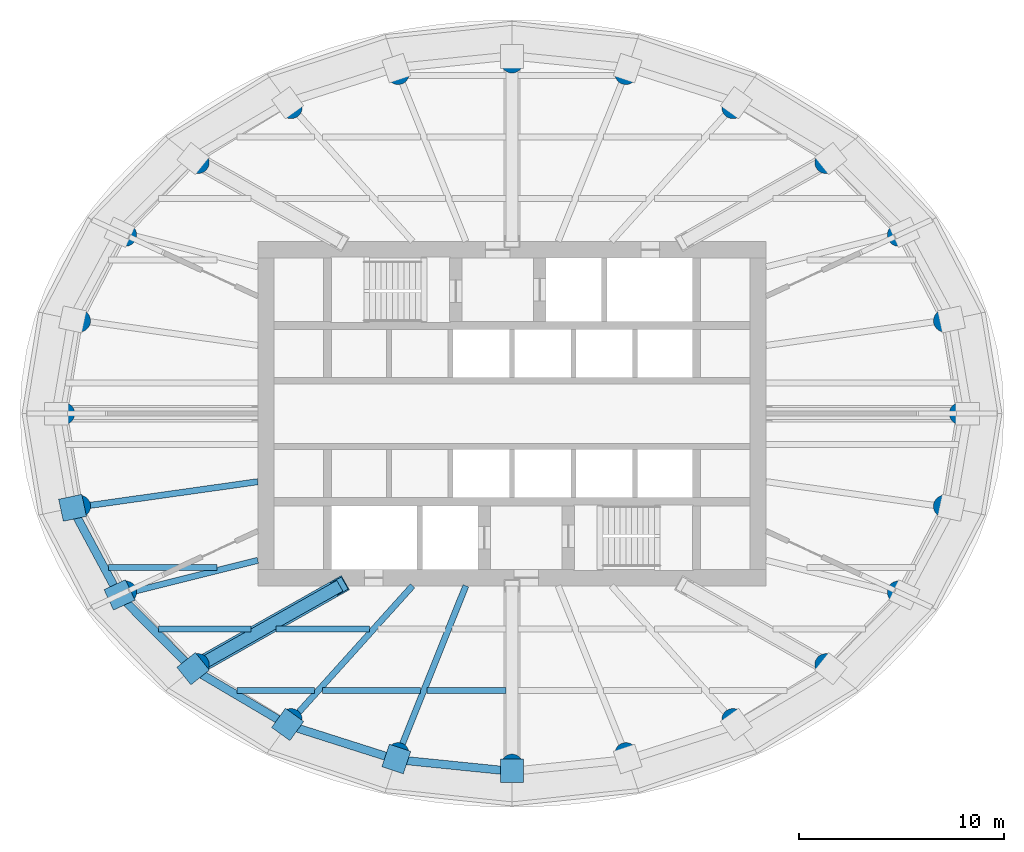
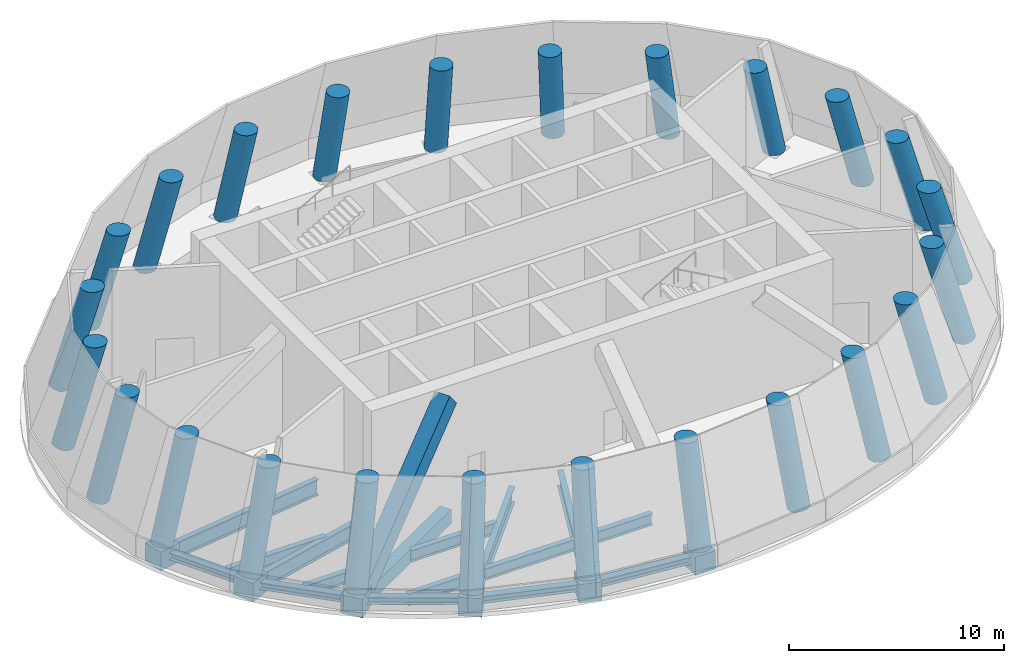
# One storey, part 1 of 6: 24 columns, 22 beams, 1 member.
"""IFC4 building model written with IfcOpenShell, lengths in metres."""

import ifcopenshell
import ifcopenshell.guid

model = None  # the IFC model being written
_history = None  # IfcOwnerHistory: only IFC2X3 demands one
_inside = {}  # id of a spatial element -> (the spatial element, [elements in it])
_under = {}  # id of a project, library or spatial element -> (it, [spatial elements below it])
_declared = {}  # id of a project -> (the project, [libraries it declares])
_typed = {}  # id of a type object -> (the type object, [elements of that type])
_made_of = {}  # id of a material, layer set ... -> (it, [elements and type objects made of it])


def new_model(schema):
    """Start an empty IFC model of exactly this schema.

    Asked for "IFC4X3", IfcOpenShell would pick the latest addendum, in which some entities
    have other attributes; the version numbers below select the first issue.
    IFC2X3 requires an IfcOwnerHistory on every rooted entity: one is made here for all.
    """
    global model, _history
    if schema == "IFC4X3":
        model = ifcopenshell.file(schema_version=(4, 3, 0, 0))
    else:
        model = ifcopenshell.file(schema=schema)
    _inside.clear()
    _under.clear()
    _declared.clear()
    _typed.clear()
    _made_of.clear()
    _history = None
    if model.schema == "IFC2X3":
        org = make("IfcOrganization", Name="unknown")
        user = make(
            "IfcPersonAndOrganization",
            ThePerson=make("IfcPerson", FamilyName="unknown"),
            TheOrganization=org,
        )
        app = make(
            "IfcApplication",
            ApplicationDeveloper=org,
            Version="unknown",
            ApplicationFullName="unknown",
            ApplicationIdentifier="unknown",
        )
        _history = make(
            "IfcOwnerHistory",
            OwningUser=user,
            OwningApplication=app,
            ChangeAction="ADDED",
            CreationDate=0,
        )
    return model


def make(cls, **values):
    """One entity of the class cls with the attributes given. An attribute that is None is left unset."""
    return model.create_entity(
        cls, **{name: value for name, value in values.items() if value is not None}
    )


def rooted(cls, **values):
    """An entity with a GlobalId (a new one), such as an element, a storey or a relation."""
    return make(cls, GlobalId=ifcopenshell.guid.new(), OwnerHistory=_history, **values)


def si_unit(unit_type, name, prefix=None):
    """IfcSIUnit, for example si_unit("LENGTHUNIT", "METRE", prefix="MILLI")."""
    return make("IfcSIUnit", UnitType=unit_type, Prefix=prefix, Name=name)


def assignment(units):
    """IfcUnitAssignment: the units of a project."""
    return None if units is None else make("IfcUnitAssignment", Units=units)


def point(xyz):
    """IfcCartesianPoint."""
    return None if xyz is None else make("IfcCartesianPoint", Coordinates=xyz)


def direction(xyz):
    """IfcDirection."""
    return None if xyz is None else make("IfcDirection", DirectionRatios=xyz)


def frame(location, z_axis=None, x_axis=None):
    """IfcAxis2Placement3D, a coordinate frame: its origin and axes. An axis left out is left unset."""
    return make(
        "IfcAxis2Placement3D",
        Location=point(location),
        Axis=direction(z_axis),
        RefDirection=direction(x_axis),
    )


def frame_2d(location, x_axis=None):
    """IfcAxis2Placement2D, a coordinate frame in the plane: its origin and x axis."""
    return make(
        "IfcAxis2Placement2D", Location=point(location), RefDirection=direction(x_axis)
    )


def origin():
    """The frame at (0, 0, 0) with its axes left unset."""
    return frame((0.0, 0.0, 0.0))


def origin_2d():
    """The frame at (0, 0) in the plane with its x axis left unset."""
    return frame_2d((0.0, 0.0))


def place(relative_to, where):
    """IfcLocalPlacement: puts the frame where relative to a parent placement (None: the world)."""
    return make(
        "IfcLocalPlacement", PlacementRelTo=relative_to, RelativePlacement=where
    )


def context(
    kind, dimensions, precision=None, world=None, true_north=None, identifier=None
):
    """IfcGeometricRepresentationContext, for example the 3D "Model" context."""
    return make(
        "IfcGeometricRepresentationContext",
        ContextIdentifier=identifier,
        ContextType=kind,
        CoordinateSpaceDimension=dimensions,
        Precision=precision,
        WorldCoordinateSystem=world,
        TrueNorth=true_north,
    )


def subcontext(parent, identifier, kind, view, scale=None):
    """IfcGeometricRepresentationSubContext, for example "Body" below "Model"."""
    return make(
        "IfcGeometricRepresentationSubContext",
        ContextIdentifier=identifier,
        ContextType=kind,
        ParentContext=parent,
        TargetScale=scale,
        TargetView=view,
    )


def project(units=None, contexts=None):
    """IfcProject with its units and contexts."""
    return rooted(
        "IfcProject",
        Name="project",
        RepresentationContexts=contexts,
        UnitsInContext=assignment(units),
    )


def spatial(cls, under=None, at=None, **own):
    """A site, building, storey or space (cls), placed at a placement, below another one or the project."""
    s = rooted(cls, ObjectPlacement=at, **own)
    if under is not None:
        _under.setdefault(under.id(), (under, []))[1].append(s)
    return s


def profile(cls, at=None, kind="AREA", **sizes):
    """A parametric profile (cls). Its sizes go by their IFC names, for example OverallWidth=200.0."""
    return make(cls, ProfileType=kind, Position=at, **sizes)


def rectangle(**sizes):
    """IfcRectangleProfileDef."""
    return profile("IfcRectangleProfileDef", **sizes)


def hollow_rectangle(**sizes):
    """IfcRectangleHollowProfileDef."""
    return profile("IfcRectangleHollowProfileDef", **sizes)


def circle(**sizes):
    """IfcCircleProfileDef."""
    return profile("IfcCircleProfileDef", **sizes)


def i_section(**sizes):
    """IfcIShapeProfileDef."""
    return profile("IfcIShapeProfileDef", **sizes)


def extrude(swept, where, along, depth):
    """IfcExtrudedAreaSolid: the profile swept, set in the frame where, extruded along a direction by depth."""
    return make(
        "IfcExtrudedAreaSolid",
        SweptArea=swept,
        Position=where,
        ExtrudedDirection=direction(along),
        Depth=depth,
    )


def clip(a, b, op="DIFFERENCE"):
    """IfcBooleanClippingResult: the solid a cut by the half space b."""
    return make(
        "IfcBooleanClippingResult", Operator=op, FirstOperand=a, SecondOperand=b
    )


def halfspace(plane, agree):
    """IfcHalfSpaceSolid: all space on one side of the plane z = 0 of the frame plane."""
    return make(
        "IfcHalfSpaceSolid",
        BaseSurface=make("IfcPlane", Position=plane),
        AgreementFlag=agree,
    )


def shape(context_of_items, identifier, shape_type, items):
    """IfcShapeRepresentation: the items that make up one representation, for example the "Body"."""
    return make(
        "IfcShapeRepresentation",
        ContextOfItems=context_of_items,
        RepresentationIdentifier=identifier,
        RepresentationType=shape_type,
        Items=items,
    )


def material(Name=None, Category=None):
    """IfcMaterial."""
    return make("IfcMaterial", Name=Name, Category=Category)


def material_profile(
    of_material, cross_section, Name=None, Category=None, Priority=None
):
    """IfcMaterialProfile: a cross section and its material."""
    return make(
        "IfcMaterialProfile",
        Name=Name,
        Material=of_material,
        Profile=cross_section,
        Priority=Priority,
        Category=Category,
    )


def profile_set(profiles, Name=None, composite=None):
    """IfcMaterialProfileSet."""
    return make(
        "IfcMaterialProfileSet",
        Name=Name,
        MaterialProfiles=profiles,
        CompositeProfile=composite,
    )


def made_of(thing, what):
    """Note that an element or type object is made of a material, layer set ...; save() writes the relation."""
    if what is not None:
        _made_of.setdefault(what.id(), (what, []))[1].append(thing)
    return thing


def type_object(cls, material=None, **own):
    """A type object (cls), such as IfcWallType, which elements share."""
    return made_of(rooted(cls, **own), material)


def element(
    cls,
    number,
    at=None,
    inside=None,
    cuts=None,
    type_object=None,
    material=None,
    context=None,
    identifier="Body",
    shape_type=None,
    held_by="IfcProductDefinitionShape",
    body=None,
    shapes=None,
    **own,
):
    """One element of the class cls, such as IfcWall. Its Tag is "e" and its number.

    at: its placement. inside: the storey or other place that contains it. cuts: it is an
    opening in that element (IfcRelVoidsElement). A single representation is given by context,
    identifier, shape_type and body (its items); several are given by shapes. held_by: the class
    of the entity that holds the representations. save() writes the other relations.
    """
    e = rooted(cls, Tag="e%d" % number, ObjectPlacement=at, **own)
    if body is not None:
        shapes = [shape(context, identifier, shape_type, body)]
    if shapes is not None:
        e.Representation = make(held_by, Representations=shapes)
    if inside is not None:
        _inside.setdefault(inside.id(), (inside, []))[1].append(e)
    if cuts is not None:
        rooted(
            "IfcRelVoidsElement", RelatingBuildingElement=cuts, RelatedOpeningElement=e
        )
    if type_object is not None:
        _typed.setdefault(type_object.id(), (type_object, []))[1].append(e)
    return made_of(e, material)


def aggregate(whole, parts):
    """IfcRelAggregates: a whole, such as a stair, and the parts it consists of."""
    return rooted("IfcRelAggregates", RelatingObject=whole, RelatedObjects=parts)


def save(model, path):
    """Write the relations noted so far, then the file.

    IfcRelAggregates (storeys below a building ...), IfcRelContainedInSpatialStructure (elements
    in a storey), IfcRelDefinesByType, IfcRelAssociatesMaterial and IfcRelDeclares: one each for
    every whole, place, type object, material and project.
    """
    for whole, parts in _under.values():
        aggregate(whole, parts)
    for where, things in _inside.values():
        rooted(
            "IfcRelContainedInSpatialStructure",
            RelatedElements=things,
            RelatingStructure=where,
        )
    for kind, things in _typed.values():
        rooted("IfcRelDefinesByType", RelatedObjects=things, RelatingType=kind)
    for what, things in _made_of.values():
        rooted("IfcRelAssociatesMaterial", RelatedObjects=things, RelatingMaterial=what)
    for by, libraries in _declared.values():
        rooted("IfcRelDeclares", RelatingContext=by, RelatedDefinitions=libraries)
    model.write(path)


model = new_model("IFC4")

# Units and contexts
model_context = context("Model", 3, precision=1e-05, world=origin(), true_north=direction((0.0, 1.0)))
body_context = subcontext(model_context, "Body", "Model", "MODEL_VIEW")
ifc_project = project(units=[si_unit("LENGTHUNIT", "METRE"), si_unit("AREAUNIT", "SQUARE_METRE"), si_unit("VOLUMEUNIT", "CUBIC_METRE"), si_unit("PLANEANGLEUNIT", "RADIAN"), si_unit("MASSUNIT", "GRAM", prefix="KILO")], contexts=[model_context])

# Site, building, storey
site_placement = place(None, origin())
site = spatial("IfcSite", under=ifc_project, at=site_placement, CompositionType="ELEMENT")
building_placement = place(site_placement, origin())
building = spatial("IfcBuilding", under=site, at=building_placement, Name="Hankou Lantern Tower", CompositionType="ELEMENT")
storey_placement = place(building_placement, frame((0.0, 0.0, 186.300048828125)))
storey = spatial("IfcBuildingStorey", under=building, at=storey_placement, Name="L50", CompositionType="ELEMENT", Elevation=186.300048828125)

# Columns
ifc_material_1 = material(Name="Concrete C50", Category="concrete")
ifc_material_profile_1 = material_profile(ifc_material_1, circle(Radius=0.550048828125, at=origin_2d()), Name="RC D1100")
ifc_profile_set_1 = profile_set([ifc_material_profile_1], Name="Concrete C50")
column_type = type_object("IfcColumnType", Name="TC4 PERIMETER COLUMN RC D1100", PredefinedType="COLUMN", material=ifc_profile_set_1)
column_1_placement = place(storey_placement, frame((22.25, 0.0, 0.0), z_axis=(-0.276636161669, 0.0, 0.960974731227), x_axis=(0.0, -1.0, 0.0)))
element("IfcColumn", 1, at=column_1_placement, inside=storey, type_object=column_type, Name="Column R01 L50", PredefinedType="COLUMN", context=body_context, shape_type="Clipping", body=[
    clip(clip(extrude(circle(Radius=0.550048828125, at=origin_2d()), origin(), (0.0, 0.0, 1.0), 6.867919921875), halfspace(frame((0.0, 0.0, 0.0), z_axis=(0.0, -0.276636161669, -0.960974731227), x_axis=(0.0, 0.960974731227, -0.276636161669)), False)), halfspace(frame((0.0, 0.0, 5.775390625), z_axis=(0.0, 0.276636161669, 0.960974731227), x_axis=(0.0, 0.960974731227, -0.276636161669)), False)),
])
column_2_placement = place(storey_placement, frame((21.462646484375, 4.600830078125, 0.0), z_axis=(-0.267231818133, -0.057289377789, 0.961927794884), x_axis=(0.209618003242, -0.977783356739, 0.0)))
element("IfcColumn", 2, at=column_2_placement, inside=storey, type_object=column_type, Name="Column R02 L50", PredefinedType="COLUMN", context=body_context, shape_type="Clipping", body=[
    clip(clip(extrude(circle(Radius=0.550048828125, at=origin_2d()), origin(), (0.0, 0.0, 1.0), 6.861083984375), halfspace(frame((0.0, 0.0, 0.0), z_axis=(0.0, -0.27330370914, -0.961927794884), x_axis=(0.209618003242, 0.940556988223, -0.267231818133)), False)), halfspace(frame((0.0, 0.0, 5.76953125), z_axis=(0.0, 0.27330370914, 0.961927794884), x_axis=(0.209618003242, 0.940556988223, -0.267231818133)), False)),
])
column_3_placement = place(storey_placement, frame((19.172119140625, 8.855224609375, 0.0), z_axis=(-0.239660099116, -0.110678223531, 0.964527536013), x_axis=(0.419263872433, -0.907864420094, 0.0)))
element("IfcColumn", 3, at=column_3_placement, inside=storey, type_object=column_type, Name="Column R03 L50", PredefinedType="COLUMN", context=body_context, shape_type="Clipping", body=[
    clip(clip(extrude(circle(Radius=0.550048828125, at=origin_2d()), origin(), (0.0, 0.0, 1.0), 6.842529296875), halfspace(frame((0.0, 0.0, 0.0), z_axis=(0.0, -0.263982257495, -0.964527536013), x_axis=(0.419263872433, 0.875660232147, -0.239660099116)), False)), halfspace(frame((0.0, 0.0, 5.754150390625), z_axis=(0.0, 0.263982257495, 0.964527536013), x_axis=(0.419263872433, 0.875660232147, -0.239660099116)), False)),
])
column_4_placement = place(storey_placement, frame((15.576171875, 12.4609375, 0.0), z_axis=(-0.195775816441, -0.156599166873, 0.968064321536), x_axis=(0.624642787329, -0.780910614756, 0.0)))
element("IfcColumn", 4, at=column_4_placement, inside=storey, type_object=column_type, Name="Column R04 L50", PredefinedType="COLUMN", context=body_context, shape_type="Clipping", body=[
    clip(clip(extrude(circle(Radius=0.550048828125, at=origin_2d()), origin(), (0.0, 0.0, 1.0), 6.817626953125), halfspace(frame((0.0, 0.0, 0.0), z_axis=(0.0, -0.25070195326, -0.968064321536), x_axis=(0.624642787329, 0.755971704454, -0.195775816441)), False)), halfspace(frame((0.0, 0.0, 5.733154296875), z_axis=(0.0, 0.25070195326, 0.968064321536), x_axis=(0.624642787329, 0.755971704454, -0.195775816441)), False)),
])
column_5_placement = place(storey_placement, frame((10.959716796875, 15.186279296875, 0.0), z_axis=(-0.138481272253, -0.19188982937, 0.971597257417), x_axis=(0.810891438515, -0.585196612211, 0.0)))
element("IfcColumn", 5, at=column_5_placement, inside=storey, type_object=column_type, Name="Column R05 L50", PredefinedType="COLUMN", context=body_context, shape_type="Clipping", body=[
    clip(clip(extrude(circle(Radius=0.550048828125, at=origin_2d()), origin(), (0.0, 0.0, 1.0), 6.792724609375), halfspace(frame((0.0, 0.0, 0.0), z_axis=(0.0, -0.236640591151, -0.971597257417), x_axis=(0.810891438515, 0.568575423474, -0.138481272253)), False)), halfspace(frame((0.0, 0.0, 5.712158203125), z_axis=(0.0, 0.236640591151, 0.971597257417), x_axis=(0.810891438515, 0.568575423474, -0.138481272253)), False)),
])
column_6_placement = place(storey_placement, frame((5.65283203125, 16.87744140625, 0.0), z_axis=(-0.071677522875, -0.214059570576, 0.974187267911), x_axis=(0.948251393452, -0.317520542353, 0.0)))
element("IfcColumn", 6, at=column_6_placement, inside=storey, type_object=column_type, Name="Column R06 L50", PredefinedType="COLUMN", context=body_context, shape_type="Clipping", body=[
    clip(clip(extrude(circle(Radius=0.550048828125, at=origin_2d()), origin(), (0.0, 0.0, 1.0), 6.774658203125), halfspace(frame((0.0, 0.0, 0.0), z_axis=(0.0, -0.225741372018, -0.974187267911), x_axis=(0.948251393452, 0.30932446966, -0.071677522875)), False)), halfspace(frame((0.0, 0.0, 5.697021484375), z_axis=(0.0, 0.225741372018, 0.974187267911), x_axis=(0.948251393452, 0.30932446966, -0.071677522875)), False)),
])
column_7_placement = place(storey_placement, frame((0.0, 17.449951171875, 0.0), z_axis=(0.0, -0.221625780886, 0.975131792758), x_axis=(1.0, 0.0, 0.0)))
element("IfcColumn", 7, at=column_7_placement, inside=storey, type_object=column_type, Name="Column R07 L50", PredefinedType="COLUMN", context=body_context, shape_type="Clipping", body=[
    clip(clip(extrude(circle(Radius=0.550048828125, at=origin_2d()), origin(), (0.0, 0.0, 1.0), 6.76806640625), halfspace(frame((0.0, 0.0, 0.0), z_axis=(0.0, -0.221625780886, -0.975131792758), x_axis=(1.0, 0.0, 0.0)), False)), halfspace(frame((0.0, 0.0, 5.69140625), z_axis=(0.0, 0.221625780886, 0.975131792758), x_axis=(1.0, 0.0, 0.0)), False)),
])
column_8_placement = place(storey_placement, frame((-5.65283203125, 16.87744140625, 0.0), z_axis=(0.071677522875, -0.214059570576, 0.974187267911), x_axis=(0.948251393452, 0.317520542353, 0.0)))
element("IfcColumn", 8, at=column_8_placement, inside=storey, type_object=column_type, Name="Column R08 L50", PredefinedType="COLUMN", context=body_context, shape_type="Clipping", body=[
    clip(clip(extrude(circle(Radius=0.550048828125, at=origin_2d()), origin(), (0.0, 0.0, 1.0), 6.774658203125), halfspace(frame((0.0, 0.0, 0.0), z_axis=(0.0, -0.225741372018, -0.974187267911), x_axis=(0.948251393452, -0.30932446966, 0.071677522875)), False)), halfspace(frame((0.0, 0.0, 5.697021484375), z_axis=(0.0, 0.225741372018, 0.974187267911), x_axis=(0.948251393452, -0.30932446966, 0.071677522875)), False)),
])
column_9_placement = place(storey_placement, frame((-10.959716796875, 15.186279296875, 0.0), z_axis=(0.138481272253, -0.19188982937, 0.971597257417), x_axis=(0.810891438515, 0.585196612211, 0.0)))
element("IfcColumn", 9, at=column_9_placement, inside=storey, type_object=column_type, Name="Column R09 L50", PredefinedType="COLUMN", context=body_context, shape_type="Clipping", body=[
    clip(clip(extrude(circle(Radius=0.550048828125, at=origin_2d()), origin(), (0.0, 0.0, 1.0), 6.792724609375), halfspace(frame((0.0, 0.0, 0.0), z_axis=(0.0, -0.236640591151, -0.971597257417), x_axis=(0.810891438515, -0.568575423474, 0.138481272253)), False)), halfspace(frame((0.0, 0.0, 5.712158203125), z_axis=(0.0, 0.236640591151, 0.971597257417), x_axis=(0.810891438515, -0.568575423474, 0.138481272253)), False)),
])
column_10_placement = place(storey_placement, frame((-15.576171875, 12.4609375, 0.0), z_axis=(0.195775816441, -0.156599166873, 0.968064321536), x_axis=(0.624642787329, 0.780910614756, 0.0)))
element("IfcColumn", 10, at=column_10_placement, inside=storey, type_object=column_type, Name="Column R10 L50", PredefinedType="COLUMN", context=body_context, shape_type="Clipping", body=[
    clip(clip(extrude(circle(Radius=0.550048828125, at=origin_2d()), origin(), (0.0, 0.0, 1.0), 6.817626953125), halfspace(frame((0.0, 0.0, 0.0), z_axis=(0.0, -0.25070195326, -0.968064321536), x_axis=(0.624642787329, -0.755971704454, 0.195775816441)), False)), halfspace(frame((0.0, 0.0, 5.733154296875), z_axis=(0.0, 0.25070195326, 0.968064321536), x_axis=(0.624642787329, -0.755971704454, 0.195775816441)), False)),
])
column_11_placement = place(storey_placement, frame((-19.172119140625, 8.855224609375, 0.0), z_axis=(0.239660099116, -0.110678223531, 0.964527536013), x_axis=(0.419263872433, 0.907864420094, 0.0)))
element("IfcColumn", 11, at=column_11_placement, inside=storey, type_object=column_type, Name="Column R11 L50", PredefinedType="COLUMN", context=body_context, shape_type="Clipping", body=[
    clip(clip(extrude(circle(Radius=0.550048828125, at=origin_2d()), origin(), (0.0, 0.0, 1.0), 6.842529296875), halfspace(frame((0.0, 0.0, 0.0), z_axis=(0.0, -0.263982257495, -0.964527536013), x_axis=(0.419263872433, -0.875660232147, 0.239660099116)), False)), halfspace(frame((0.0, 0.0, 5.754150390625), z_axis=(0.0, 0.263982257495, 0.964527536013), x_axis=(0.419263872433, -0.875660232147, 0.239660099116)), False)),
])
column_12_placement = place(storey_placement, frame((-21.462646484375, 4.600830078125, 0.0), z_axis=(0.267231818133, -0.057289377789, 0.961927794884), x_axis=(0.209618003242, 0.977783356739, 0.0)))
element("IfcColumn", 12, at=column_12_placement, inside=storey, type_object=column_type, Name="Column R12 L50", PredefinedType="COLUMN", context=body_context, shape_type="Clipping", body=[
    clip(clip(extrude(circle(Radius=0.550048828125, at=origin_2d()), origin(), (0.0, 0.0, 1.0), 6.861083984375), halfspace(frame((0.0, 0.0, 0.0), z_axis=(0.0, -0.27330370914, -0.961927794884), x_axis=(0.209618003242, -0.940556988223, 0.267231818133)), False)), halfspace(frame((0.0, 0.0, 5.76953125), z_axis=(0.0, 0.27330370914, 0.961927794884), x_axis=(0.209618003242, -0.940556988223, 0.267231818133)), False)),
])
column_13_placement = place(storey_placement, frame((-22.25, 0.0, 0.0), z_axis=(0.276636161669, 0.0, 0.960974731227), x_axis=(0.0, 1.0, 0.0)))
element("IfcColumn", 13, at=column_13_placement, inside=storey, type_object=column_type, Name="Column R13 L50", PredefinedType="COLUMN", context=body_context, shape_type="Clipping", body=[
    clip(clip(extrude(circle(Radius=0.550048828125, at=origin_2d()), origin(), (0.0, 0.0, 1.0), 6.867919921875), halfspace(frame((0.0, 0.0, 0.0), z_axis=(0.0, -0.276636161669, -0.960974731227), x_axis=(0.0, -0.960974731227, 0.276636161669)), False)), halfspace(frame((0.0, 0.0, 5.775390625), z_axis=(0.0, 0.276636161669, 0.960974731227), x_axis=(0.0, -0.960974731227, 0.276636161669)), False)),
])
column_14_placement = place(storey_placement, frame((-21.462646484375, -4.600830078125, 0.0), z_axis=(0.267231818133, 0.057289377789, 0.961927794884), x_axis=(-0.209618003242, 0.977783356739, 0.0)))
element("IfcColumn", 14, at=column_14_placement, inside=storey, type_object=column_type, Name="Column R14 L50", PredefinedType="COLUMN", context=body_context, shape_type="Clipping", body=[
    clip(clip(extrude(circle(Radius=0.550048828125, at=origin_2d()), origin(), (0.0, 0.0, 1.0), 6.861083984375), halfspace(frame((0.0, 0.0, 0.0), z_axis=(0.0, -0.27330370914, -0.961927794884), x_axis=(-0.209618003242, -0.940556988223, 0.267231818133)), False)), halfspace(frame((0.0, 0.0, 5.76953125), z_axis=(0.0, 0.27330370914, 0.961927794884), x_axis=(-0.209618003242, -0.940556988223, 0.267231818133)), False)),
])
column_15_placement = place(storey_placement, frame((-19.172119140625, -8.855224609375, 0.0), z_axis=(0.239660099116, 0.110678223531, 0.964527536013), x_axis=(-0.419263872433, 0.907864420094, 0.0)))
element("IfcColumn", 15, at=column_15_placement, inside=storey, type_object=column_type, Name="Column R15 L50", PredefinedType="COLUMN", context=body_context, shape_type="Clipping", body=[
    clip(clip(extrude(circle(Radius=0.550048828125, at=origin_2d()), origin(), (0.0, 0.0, 1.0), 6.842529296875), halfspace(frame((0.0, 0.0, 0.0), z_axis=(0.0, -0.263982257495, -0.964527536013), x_axis=(-0.419263872433, -0.875660232147, 0.239660099116)), False)), halfspace(frame((0.0, 0.0, 5.754150390625), z_axis=(0.0, 0.263982257495, 0.964527536013), x_axis=(-0.419263872433, -0.875660232147, 0.239660099116)), False)),
])
column_16_placement = place(storey_placement, frame((-15.576171875, -12.4609375, 0.0), z_axis=(0.195775816441, 0.156599166873, 0.968064321536), x_axis=(-0.624642787329, 0.780910614756, 0.0)))
element("IfcColumn", 16, at=column_16_placement, inside=storey, type_object=column_type, Name="Column R16 L50", PredefinedType="COLUMN", context=body_context, shape_type="Clipping", body=[
    clip(clip(extrude(circle(Radius=0.550048828125, at=origin_2d()), origin(), (0.0, 0.0, 1.0), 6.817626953125), halfspace(frame((0.0, 0.0, 0.0), z_axis=(0.0, -0.25070195326, -0.968064321536), x_axis=(-0.624642787329, -0.755971704454, 0.195775816441)), False)), halfspace(frame((0.0, 0.0, 5.733154296875), z_axis=(0.0, 0.25070195326, 0.968064321536), x_axis=(-0.624642787329, -0.755971704454, 0.195775816441)), False)),
])
column_17_placement = place(storey_placement, frame((-10.959716796875, -15.186279296875, 0.0), z_axis=(0.138481272253, 0.19188982937, 0.971597257417), x_axis=(-0.810891438515, 0.585196612211, 0.0)))
element("IfcColumn", 17, at=column_17_placement, inside=storey, type_object=column_type, Name="Column R17 L50", PredefinedType="COLUMN", context=body_context, shape_type="Clipping", body=[
    clip(clip(extrude(circle(Radius=0.550048828125, at=origin_2d()), origin(), (0.0, 0.0, 1.0), 6.792724609375), halfspace(frame((0.0, 0.0, 0.0), z_axis=(0.0, -0.236640591151, -0.971597257417), x_axis=(-0.810891438515, -0.568575423474, 0.138481272253)), False)), halfspace(frame((0.0, 0.0, 5.712158203125), z_axis=(0.0, 0.236640591151, 0.971597257417), x_axis=(-0.810891438515, -0.568575423474, 0.138481272253)), False)),
])
column_18_placement = place(storey_placement, frame((-5.65283203125, -16.87744140625, 0.0), z_axis=(0.071677522875, 0.214059570576, 0.974187267911), x_axis=(-0.948251393452, 0.317520542353, 0.0)))
element("IfcColumn", 18, at=column_18_placement, inside=storey, type_object=column_type, Name="Column R18 L50", PredefinedType="COLUMN", context=body_context, shape_type="Clipping", body=[
    clip(clip(extrude(circle(Radius=0.550048828125, at=origin_2d()), origin(), (0.0, 0.0, 1.0), 6.774658203125), halfspace(frame((0.0, 0.0, 0.0), z_axis=(0.0, -0.225741372018, -0.974187267911), x_axis=(-0.948251393452, -0.30932446966, 0.071677522875)), False)), halfspace(frame((0.0, 0.0, 5.697021484375), z_axis=(0.0, 0.225741372018, 0.974187267911), x_axis=(-0.948251393452, -0.30932446966, 0.071677522875)), False)),
])
column_19_placement = place(storey_placement, frame((0.0, -17.449951171875, 0.0), z_axis=(0.0, 0.221625780886, 0.975131792758), x_axis=(-1.0, 0.0, 0.0)))
element("IfcColumn", 19, at=column_19_placement, inside=storey, type_object=column_type, Name="Column R19 L50", PredefinedType="COLUMN", context=body_context, shape_type="Clipping", body=[
    clip(clip(extrude(circle(Radius=0.550048828125, at=origin_2d()), origin(), (0.0, 0.0, 1.0), 6.76806640625), halfspace(frame((0.0, 0.0, 0.0), z_axis=(0.0, -0.221625780886, -0.975131792758), x_axis=(-1.0, 0.0, 0.0)), False)), halfspace(frame((0.0, 0.0, 5.69140625), z_axis=(0.0, 0.221625780886, 0.975131792758), x_axis=(-1.0, 0.0, 0.0)), False)),
])
column_20_placement = place(storey_placement, frame((5.65283203125, -16.87744140625, 0.0), z_axis=(-0.071677522875, 0.214059570576, 0.974187267911), x_axis=(-0.948251393452, -0.317520542353, 0.0)))
element("IfcColumn", 20, at=column_20_placement, inside=storey, type_object=column_type, Name="Column R20 L50", PredefinedType="COLUMN", context=body_context, shape_type="Clipping", body=[
    clip(clip(extrude(circle(Radius=0.550048828125, at=origin_2d()), origin(), (0.0, 0.0, 1.0), 6.774658203125), halfspace(frame((0.0, 0.0, 0.0), z_axis=(0.0, -0.225741372018, -0.974187267911), x_axis=(-0.948251393452, 0.30932446966, -0.071677522875)), False)), halfspace(frame((0.0, 0.0, 5.697021484375), z_axis=(0.0, 0.225741372018, 0.974187267911), x_axis=(-0.948251393452, 0.30932446966, -0.071677522875)), False)),
])
column_21_placement = place(storey_placement, frame((10.959716796875, -15.186279296875, 0.0), z_axis=(-0.138481272253, 0.19188982937, 0.971597257417), x_axis=(-0.810891438515, -0.585196612211, 0.0)))
element("IfcColumn", 21, at=column_21_placement, inside=storey, type_object=column_type, Name="Column R21 L50", PredefinedType="COLUMN", context=body_context, shape_type="Clipping", body=[
    clip(clip(extrude(circle(Radius=0.550048828125, at=origin_2d()), origin(), (0.0, 0.0, 1.0), 6.792724609375), halfspace(frame((0.0, 0.0, 0.0), z_axis=(0.0, -0.236640591151, -0.971597257417), x_axis=(-0.810891438515, 0.568575423474, -0.138481272253)), False)), halfspace(frame((0.0, 0.0, 5.712158203125), z_axis=(0.0, 0.236640591151, 0.971597257417), x_axis=(-0.810891438515, 0.568575423474, -0.138481272253)), False)),
])
column_22_placement = place(storey_placement, frame((15.576171875, -12.4609375, 0.0), z_axis=(-0.195775816441, 0.156599166873, 0.968064321536), x_axis=(-0.624642787329, -0.780910614756, 0.0)))
element("IfcColumn", 22, at=column_22_placement, inside=storey, type_object=column_type, Name="Column R22 L50", PredefinedType="COLUMN", context=body_context, shape_type="Clipping", body=[
    clip(clip(extrude(circle(Radius=0.550048828125, at=origin_2d()), origin(), (0.0, 0.0, 1.0), 6.817626953125), halfspace(frame((0.0, 0.0, 0.0), z_axis=(0.0, -0.25070195326, -0.968064321536), x_axis=(-0.624642787329, 0.755971704454, -0.195775816441)), False)), halfspace(frame((0.0, 0.0, 5.733154296875), z_axis=(0.0, 0.25070195326, 0.968064321536), x_axis=(-0.624642787329, 0.755971704454, -0.195775816441)), False)),
])
column_23_placement = place(storey_placement, frame((19.172119140625, -8.855224609375, 0.0), z_axis=(-0.239660099116, 0.110678223531, 0.964527536013), x_axis=(-0.419263872433, -0.907864420094, 0.0)))
element("IfcColumn", 23, at=column_23_placement, inside=storey, type_object=column_type, Name="Column R23 L50", PredefinedType="COLUMN", context=body_context, shape_type="Clipping", body=[
    clip(clip(extrude(circle(Radius=0.550048828125, at=origin_2d()), origin(), (0.0, 0.0, 1.0), 6.842529296875), halfspace(frame((0.0, 0.0, 0.0), z_axis=(0.0, -0.263982257495, -0.964527536013), x_axis=(-0.419263872433, 0.875660232147, -0.239660099116)), False)), halfspace(frame((0.0, 0.0, 5.754150390625), z_axis=(0.0, 0.263982257495, 0.964527536013), x_axis=(-0.419263872433, 0.875660232147, -0.239660099116)), False)),
])
column_24_placement = place(storey_placement, frame((21.462646484375, -4.600830078125, 0.0), z_axis=(-0.267231818133, 0.057289377789, 0.961927794884), x_axis=(-0.209618003242, -0.977783356739, 0.0)))
element("IfcColumn", 24, at=column_24_placement, inside=storey, type_object=column_type, Name="Column R24 L50", PredefinedType="COLUMN", context=body_context, shape_type="Clipping", body=[
    clip(clip(extrude(circle(Radius=0.550048828125, at=origin_2d()), origin(), (0.0, 0.0, 1.0), 6.861083984375), halfspace(frame((0.0, 0.0, 0.0), z_axis=(0.0, -0.27330370914, -0.961927794884), x_axis=(-0.209618003242, 0.940556988223, -0.267231818133)), False)), halfspace(frame((0.0, 0.0, 5.76953125), z_axis=(0.0, 0.27330370914, 0.961927794884), x_axis=(-0.209618003242, 0.940556988223, -0.267231818133)), False)),
])

# Beams
ifc_material_2 = material(Name="Steel Q355B", Category="steel")
ifc_material_profile_2 = material_profile(ifc_material_2, i_section(OverallWidth=0.39990234375, OverallDepth=0.39990234375, WebThickness=0.012939453125, FlangeThickness=0.02099609375, FilletRadius=0.02197265625, at=origin_2d()), Name="HW400x400x13x21")
ifc_profile_set_2 = profile_set([ifc_material_profile_2], Name="Steel Q355B")
beam_type_1 = type_object("IfcBeamType", Name="EB19 RING BEAM HW400x400x13x21", PredefinedType="SPANDREL", material=ifc_profile_set_2)
beam_1_placement = place(storey_placement, frame((-21.462646484375, -4.600830078125, -0.449951171875), z_axis=(0.474051612334, -0.880497057828, 0.0), x_axis=(0.880497057828, 0.474051612334, 0.0)))
element("IfcBeam", 25, at=beam_1_placement, inside=storey, type_object=beam_type_1, Name="Ring beam R14-R15 L50", PredefinedType="SPANDREL", context=body_context, shape_type="SweptSolid", body=[
    extrude(i_section(OverallWidth=0.39990234375, OverallDepth=0.39990234375, WebThickness=0.012939453125, FlangeThickness=0.02099609375, FilletRadius=0.02197265625, at=origin_2d()), origin(), (0.0, 0.0, 1.0), 4.831787109375),
])
beam_2_placement = place(storey_placement, frame((-19.172119140625, -8.855224609375, -0.449951171875), z_axis=(0.706147278092, -0.708064984054, 0.0), x_axis=(0.708064984054, 0.706147278092, 0.0)))
element("IfcBeam", 26, at=beam_2_placement, inside=storey, type_object=beam_type_1, Name="Ring beam R15-R16 L50", PredefinedType="SPANDREL", context=body_context, shape_type="SweptSolid", body=[
    extrude(i_section(OverallWidth=0.39990234375, OverallDepth=0.39990234375, WebThickness=0.012939453125, FlangeThickness=0.02099609375, FilletRadius=0.02197265625, at=origin_2d()), origin(), (0.0, 0.0, 1.0), 5.09228515625),
])
beam_3_placement = place(storey_placement, frame((-15.576171875, -12.4609375, -0.449951171875), z_axis=(0.861135888339, -0.508374843806, 0.0), x_axis=(0.508374843806, 0.861135888339, 0.0)))
element("IfcBeam", 27, at=beam_3_placement, inside=storey, type_object=beam_type_1, Name="Ring beam R16-R17 L50", PredefinedType="SPANDREL", context=body_context, shape_type="SweptSolid", body=[
    extrude(i_section(OverallWidth=0.39990234375, OverallDepth=0.39990234375, WebThickness=0.012939453125, FlangeThickness=0.02099609375, FilletRadius=0.02197265625, at=origin_2d()), origin(), (0.0, 0.0, 1.0), 5.36083984375),
])
beam_4_placement = place(storey_placement, frame((-10.959716796875, -15.186279296875, -0.449951171875), z_axis=(0.952790404271, -0.30362879562, 0.0), x_axis=(0.30362879562, 0.952790404271, 0.0)))
element("IfcBeam", 28, at=beam_4_placement, inside=storey, type_object=beam_type_1, Name="Ring beam R17-R18 L50", PredefinedType="SPANDREL", context=body_context, shape_type="SweptSolid", body=[
    extrude(i_section(OverallWidth=0.39990234375, OverallDepth=0.39990234375, WebThickness=0.012939453125, FlangeThickness=0.02099609375, FilletRadius=0.02197265625, at=origin_2d()), origin(), (0.0, 0.0, 1.0), 5.56982421875),
])
beam_5_placement = place(storey_placement, frame((-5.65283203125, -16.87744140625, -0.449951171875), z_axis=(0.9949104636, -0.100762936734, 0.0), x_axis=(0.100762936734, 0.9949104636, 0.0)))
element("IfcBeam", 29, at=beam_5_placement, inside=storey, type_object=beam_type_1, Name="Ring beam R18-R19 L50", PredefinedType="SPANDREL", context=body_context, shape_type="SweptSolid", body=[
    extrude(i_section(OverallWidth=0.39990234375, OverallDepth=0.39990234375, WebThickness=0.012939453125, FlangeThickness=0.02099609375, FilletRadius=0.02197265625, at=origin_2d()), origin(), (0.0, 0.0, 1.0), 5.681640625),
])

# Member
ifc_material_3 = material(Name="Steel Q390GJ", Category="steel")
ifc_material_profile_3 = material_profile(ifc_material_3, hollow_rectangle(XDim=0.800048828125, YDim=1.0, WallThickness=0.06005859375, at=origin_2d()), Name="BOX1000x800x60")
ifc_profile_set_3 = profile_set([ifc_material_profile_3], Name="Steel Q390GJ")
member_type = type_object("IfcMemberType", Name="OD1 OUTRIGGER DIAGONAL BOX1000x800x60", PredefinedType="BRACE", material=ifc_profile_set_3)
member_placement = place(storey_placement, frame((-8.39990234375, -8.39990234375, 6.02001953125), z_axis=(-0.676639416663, -0.38290875882, -0.628919694585), x_axis=(0.492505983234, -0.870309058024, 0.0)))
element("IfcMember", 30, at=member_placement, inside=storey, type_object=member_type, Name="Outrigger diagonal R16 L50", PredefinedType="BRACE", context=body_context, shape_type="SweptSolid", body=[
    extrude(hollow_rectangle(XDim=0.800048828125, YDim=1.0, WallThickness=0.06005859375, at=origin_2d()), origin(), (0.0, 0.0, 1.0), 10.605712890625),
])

# Beams
ifc_material_4 = material(Name="Steel Q390GJ", Category="steel")
ifc_material_profile_4 = material_profile(ifc_material_4, hollow_rectangle(XDim=0.60009765625, YDim=0.800048828125, WallThickness=0.050048828125, at=origin_2d()), Name="BOX800x600x50")
ifc_profile_set_4 = profile_set([ifc_material_profile_4], Name="Steel Q390GJ")
beam_type_2 = type_object("IfcBeamType", Name="OT2 OUTRIGGER CHORD BOX800x600x50", PredefinedType="BEAM", material=ifc_profile_set_4)
beam_6_placement = place(storey_placement, frame((-8.39990234375, -8.39990234375, -0.650146484375), z_axis=(-0.870309058024, -0.492505983234, 0.0), x_axis=(0.492505983234, -0.870309058024, 0.0)))
element("IfcBeam", 31, at=beam_6_placement, inside=storey, type_object=beam_type_2, Name="Radial beam R16 L50", PredefinedType="BEAM", context=body_context, shape_type="SweptSolid", body=[
    extrude(hollow_rectangle(XDim=0.60009765625, YDim=0.800048828125, WallThickness=0.050048828125, at=origin_2d()), origin(), (0.0, 0.0, 1.0), 8.24560546875),
])
ifc_material_5 = material(Name="Steel Q355B", Category="steel")
ifc_material_profile_5 = material_profile(ifc_material_5, i_section(OverallWidth=0.300048828125, OverallDepth=0.89990234375, WebThickness=0.01611328125, FlangeThickness=0.028076171875, FilletRadius=0.01806640625, at=origin_2d()), Name="HN900x300x16x28")
ifc_profile_set_5 = profile_set([ifc_material_profile_5], Name="Steel Q355B")
beam_type_3 = type_object("IfcBeamType", Name="RB13 RADIAL BEAM HN900x300x16x28", PredefinedType="BEAM", material=ifc_profile_set_5)
beam_7_placement = place(storey_placement, frame((-12.39990234375, -3.322509765625, -0.699951171875), z_axis=(-0.990198154617, -0.13966966239, 0.0), x_axis=(0.13966966239, -0.990198154617, 0.0)))
element("IfcBeam", 32, at=beam_7_placement, inside=storey, type_object=beam_type_3, Name="Radial beam R14 L50", PredefinedType="BEAM", context=body_context, shape_type="SweptSolid", body=[
    extrude(i_section(OverallWidth=0.300048828125, OverallDepth=0.89990234375, WebThickness=0.01611328125, FlangeThickness=0.028076171875, FilletRadius=0.01806640625, at=origin_2d()), origin(), (0.0, 0.0, 1.0), 9.15234375),
])
beam_8_placement = place(storey_placement, frame((-12.39990234375, -7.1591796875, -0.699951171875), z_axis=(-0.970041619568, -0.242938791274, 0.0), x_axis=(0.242938791274, -0.970041619568, 0.0)))
element("IfcBeam", 33, at=beam_8_placement, inside=storey, type_object=beam_type_3, Name="Radial beam R15 L50", PredefinedType="BEAM", context=body_context, shape_type="SweptSolid", body=[
    extrude(i_section(OverallWidth=0.300048828125, OverallDepth=0.89990234375, WebThickness=0.01611328125, FlangeThickness=0.028076171875, FilletRadius=0.01806640625, at=origin_2d()), origin(), (0.0, 0.0, 1.0), 6.9814453125),
])
beam_9_placement = place(storey_placement, frame((-4.849853515625, -8.39990234375, -0.699951171875), z_axis=(-0.669093231314, -0.743178476418, 0.0), x_axis=(0.743178476418, -0.669093231314, 0.0)))
element("IfcBeam", 34, at=beam_9_placement, inside=storey, type_object=beam_type_3, Name="Radial beam R17 L50", PredefinedType="BEAM", context=body_context, shape_type="SweptSolid", body=[
    extrude(i_section(OverallWidth=0.300048828125, OverallDepth=0.89990234375, WebThickness=0.01611328125, FlangeThickness=0.028076171875, FilletRadius=0.01806640625, at=origin_2d()), origin(), (0.0, 0.0, 1.0), 9.131591796875),
])
beam_10_placement = place(storey_placement, frame((-2.250732421875, -8.39990234375, -0.699951171875), z_axis=(-0.372436468133, -0.928057690666, 0.0), x_axis=(0.928057690666, -0.372436468133, 0.0)))
element("IfcBeam", 35, at=beam_10_placement, inside=storey, type_object=beam_type_3, Name="Radial beam R18 L50", PredefinedType="BEAM", context=body_context, shape_type="SweptSolid", body=[
    extrude(i_section(OverallWidth=0.300048828125, OverallDepth=0.89990234375, WebThickness=0.01611328125, FlangeThickness=0.028076171875, FilletRadius=0.01806640625, at=origin_2d()), origin(), (0.0, 0.0, 1.0), 9.134765625),
])
ifc_material_6 = material(Name="Steel Q355B", Category="steel")
ifc_material_profile_6 = material_profile(ifc_material_6, i_section(OverallWidth=0.300048828125, OverallDepth=0.64990234375, WebThickness=0.010986328125, FlangeThickness=0.01708984375, FilletRadius=0.01806640625, at=origin_2d()), Name="HN650x300x11x17")
ifc_profile_set_6 = profile_set([ifc_material_profile_6], Name="Steel Q355B")
beam_type_4 = type_object("IfcBeamType", Name="SB8 SECONDARY BEAM HN650x300x11x17", PredefinedType="JOIST", material=ifc_profile_set_6)
beam_11_placement = place(storey_placement, frame((-13.422607421875, -13.5, -0.574951171875), z_axis=(1.0, 0.0, 0.0), x_axis=(0.0, 1.0, 0.0)))
element("IfcBeam", 36, at=beam_11_placement, inside=storey, type_object=beam_type_4, Name="Floor joist J001 L50", PredefinedType="JOIST", context=body_context, shape_type="SweptSolid", body=[
    extrude(i_section(OverallWidth=0.300048828125, OverallDepth=0.64990234375, WebThickness=0.010986328125, FlangeThickness=0.01708984375, FilletRadius=0.01806640625, at=origin_2d()), origin(), (0.0, 0.0, 1.0), 3.779296875),
])
beam_12_placement = place(storey_placement, frame((-9.23974609375, -13.5, -0.574951171875), z_axis=(1.0, 0.0, 0.0), x_axis=(0.0, 1.0, 0.0)))
element("IfcBeam", 37, at=beam_12_placement, inside=storey, type_object=beam_type_4, Name="Floor joist J002 L50", PredefinedType="JOIST", context=body_context, shape_type="SweptSolid", body=[
    extrude(i_section(OverallWidth=0.300048828125, OverallDepth=0.64990234375, WebThickness=0.010986328125, FlangeThickness=0.01708984375, FilletRadius=0.01806640625, at=origin_2d()), origin(), (0.0, 0.0, 1.0), 4.780517578125),
])
beam_13_placement = place(storey_placement, frame((-4.135986328125, -13.5, -0.574951171875), z_axis=(1.0, 0.0, 0.0), x_axis=(0.0, 1.0, 0.0)))
element("IfcBeam", 38, at=beam_13_placement, inside=storey, type_object=beam_type_4, Name="Floor joist J003 L50", PredefinedType="JOIST", context=body_context, shape_type="SweptSolid", body=[
    extrude(i_section(OverallWidth=0.300048828125, OverallDepth=0.64990234375, WebThickness=0.010986328125, FlangeThickness=0.01708984375, FilletRadius=0.01806640625, at=origin_2d()), origin(), (0.0, 0.0, 1.0), 3.8359375),
])
beam_14_placement = place(storey_placement, frame((-17.249267578125, -10.5, -0.574951171875), z_axis=(1.0, 0.0, 0.0), x_axis=(0.0, 1.0, 0.0)))
element("IfcBeam", 39, at=beam_14_placement, inside=storey, type_object=beam_type_4, Name="Floor joist J007 L50", PredefinedType="JOIST", context=body_context, shape_type="SweptSolid", body=[
    extrude(i_section(OverallWidth=0.300048828125, OverallDepth=0.64990234375, WebThickness=0.010986328125, FlangeThickness=0.01708984375, FilletRadius=0.01806640625, at=origin_2d()), origin(), (0.0, 0.0, 1.0), 4.529052734375),
])
beam_15_placement = place(storey_placement, frame((-11.501953125, -10.5, -0.574951171875), z_axis=(1.0, 0.0, 0.0), x_axis=(0.0, 1.0, 0.0)))
element("IfcBeam", 40, at=beam_15_placement, inside=storey, type_object=beam_type_4, Name="Floor joist J008 L50", PredefinedType="JOIST", context=body_context, shape_type="SweptSolid", body=[
    extrude(i_section(OverallWidth=0.300048828125, OverallDepth=0.64990234375, WebThickness=0.010986328125, FlangeThickness=0.01708984375, FilletRadius=0.01806640625, at=origin_2d()), origin(), (0.0, 0.0, 1.0), 4.5595703125),
])
beam_16_placement = place(storey_placement, frame((-19.6748046875, -7.5, -0.574951171875), z_axis=(1.0, 0.0, 0.0), x_axis=(0.0, 1.0, 0.0)))
element("IfcBeam", 41, at=beam_16_placement, inside=storey, type_object=beam_type_4, Name="Floor joist J015 L50", PredefinedType="JOIST", context=body_context, shape_type="SweptSolid", body=[
    extrude(i_section(OverallWidth=0.300048828125, OverallDepth=0.64990234375, WebThickness=0.010986328125, FlangeThickness=0.01708984375, FilletRadius=0.01806640625, at=origin_2d()), origin(), (0.0, 0.0, 1.0), 5.29638671875),
])
ifc_material_7 = material(Name="Concrete C50", Category="concrete")
ifc_material_profile_7 = material_profile(ifc_material_7, rectangle(XDim=1.10009765625, YDim=1.050048828125, at=origin_2d()), Name="RC 1100x1050")
ifc_profile_set_7 = profile_set([ifc_material_profile_7], Name="Concrete C50")
beam_type_5 = type_object("IfcBeamType", Name="TN3 TRANSFER NODE RC 1100x1050", PredefinedType="BEAM", material=ifc_profile_set_7)
for number, where, z_axis, x_axis, name in (
    (42, (-22.00048828125, -4.716064453125, -0.525146484375), (0.977771472055, 0.209673432832, 0.0), (-0.209673432832, 0.977771472055, 0.0), "Transfer node R14 L50"),
    (43, (-19.671630859375, -9.0859375, -0.525146484375), (0.907823236593, 0.419353038743, 0.0), (-0.419353038743, 0.907823236593, 0.0), "Transfer node R15 L50"),
    (44, (-16.005615234375, -12.804443359375, -0.525146484375), (0.780889432822, 0.624669267458, 0.0), (-0.624669267458, 0.780889432822, 0.0), "Transfer node R16 L50"),
    (45, (-11.281494140625, -15.63232421875, -0.525146484375), (0.585050594175, 0.810996795466, 0.0), (-0.810996795466, 0.585050594175, 0.0), "Transfer node R17 L50"),
    (46, (-5.82763671875, -17.39892578125, -0.525146484375), (0.317685830277, 0.94819603102, 0.0), (-0.94819603102, 0.317685830277, 0.0), "Transfer node R18 L50"),
    (47, (0.0, -18.0, -0.525146484375), (0.0, 1.0, 0.0), (-1.0, 0.0, 0.0), "Transfer node R19 L50"),
):
    element("IfcBeam", number, at=place(storey_placement, frame(where, z_axis=z_axis, x_axis=x_axis)), inside=storey, type_object=beam_type_5, Name=name, PredefinedType="BEAM", context=body_context, shape_type="SweptSolid", body=[
        extrude(rectangle(XDim=1.10009765625, YDim=1.050048828125, at=origin_2d()), origin(), (0.0, 0.0, 1.0), 1.155029296875),
    ])

save(model, "model.ifc")
